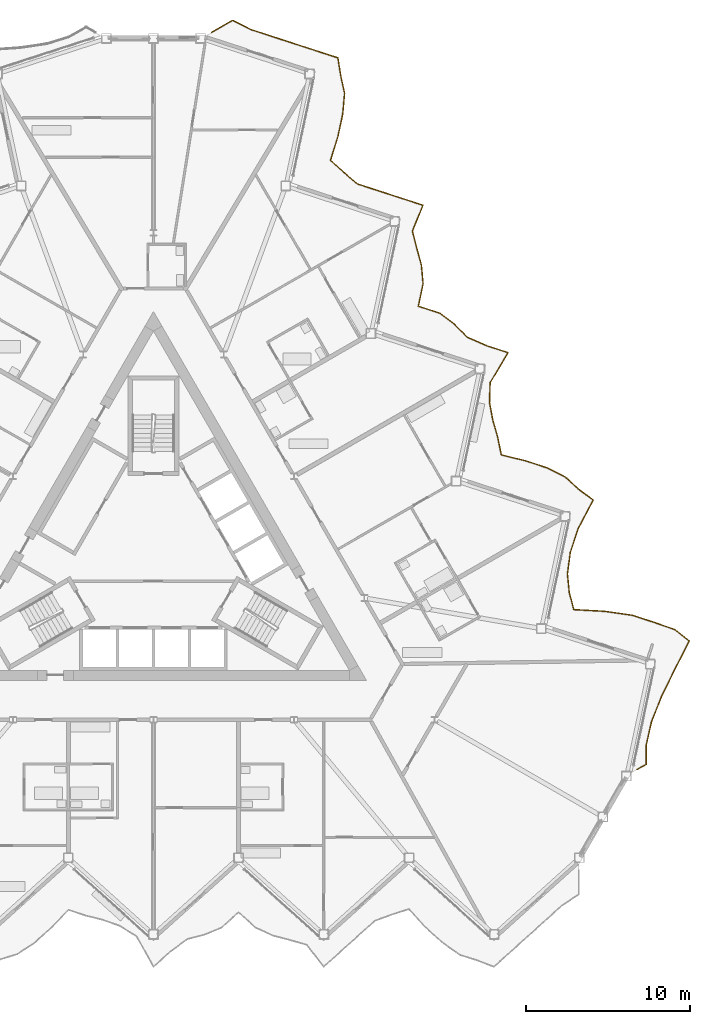
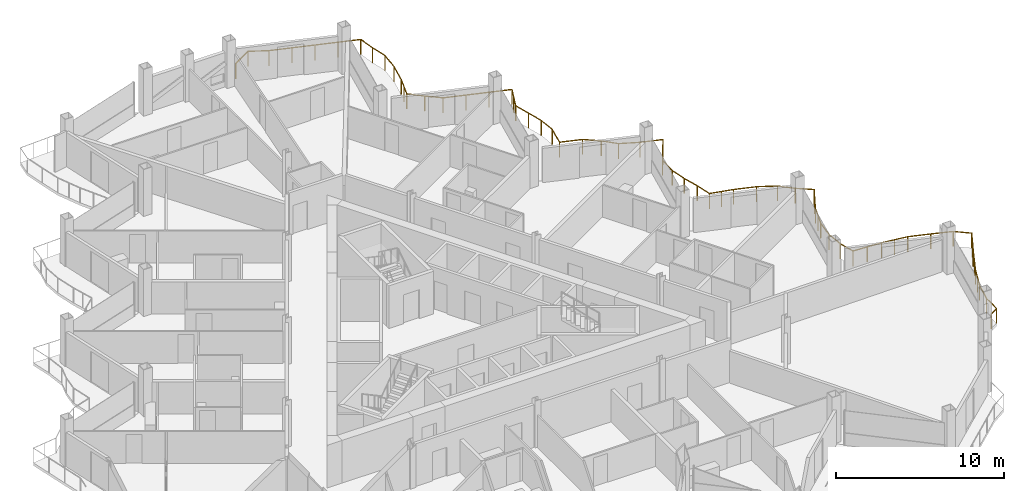
# One storey, part 24 of 26: 1 railing.
"""IFC4 building model written with IfcOpenShell, lengths in metres."""

from ifc_helpers import new_model, si_unit, direction, frame, origin, origin_2d, place, context, subcontext, project, spatial, circle, extrude, material, type_object, element, save


model = new_model("IFC4")

# Units and contexts
model_context = context("Model", 3, precision=1e-05, world=origin(), true_north=direction((0.0, 1.0)))
body_context = subcontext(model_context, "Body", "Model", "MODEL_VIEW")
ifc_project = project(units=[si_unit("LENGTHUNIT", "METRE"), si_unit("AREAUNIT", "SQUARE_METRE"), si_unit("VOLUMEUNIT", "CUBIC_METRE"), si_unit("PLANEANGLEUNIT", "RADIAN"), si_unit("MASSUNIT", "GRAM", prefix="KILO")], contexts=[model_context])

# Site, building, storey
site_placement = place(None, origin())
site = spatial("IfcSite", under=ifc_project, at=site_placement, CompositionType="ELEMENT")
building_placement = place(site_placement, origin())
building = spatial("IfcBuilding", under=site, at=building_placement, Name="Cormorant Prow Tower", CompositionType="ELEMENT")
storey_placement = place(building_placement, frame((0.0, 0.0, 322.199951171875)))
storey = spatial("IfcBuildingStorey", under=building, at=storey_placement, Name="L71", CompositionType="ELEMENT", Elevation=322.199951171875)

# Railing
ifc_material = material(Name="Aluminium 6063-T6", Category="aluminium")
railing_type = type_object("IfcRailingType", Name="Balcony guard 1100", PredefinedType="GUARDRAIL", material=ifc_material)
railing_placement = place(storey_placement, frame((29.526123046875, -12.944580078125, 0.0)))
element("IfcRailing", 1, at=railing_placement, inside=storey, type_object=railing_type, Name="Balcony guard ENE", PredefinedType="GUARDRAIL", context=body_context, shape_type="SweptSolid", body=[
    extrude(circle(Radius=0.02392578125, at=origin_2d()), frame((0.0, 0.0, 1.076171875), z_axis=(0.866204753408, 0.499689228594, 0.0), x_axis=(-0.499689228594, 0.866204753408, 0.0)), (0.0, 0.0, 1.0), 0.63623046875),
    extrude(circle(Radius=0.02392578125, at=origin_2d()), frame((0.551025390625, 0.31787109375, 1.076171875), z_axis=(0.003046908465, 0.999995358164, 0.0), x_axis=(-0.999995358164, 0.003046908465, 0.0)), (0.0, 0.0, 1.0), 1.201904296875),
    extrude(circle(Radius=0.02392578125, at=origin_2d()), frame((0.5546875, 1.519775390625, 1.076171875), z_axis=(0.221129028399, 0.975244560507, 0.0), x_axis=(-0.975244560507, 0.221129028399, 0.0)), (0.0, 0.0, 1.0), 1.41552734375),
    extrude(circle(Radius=0.02392578125, at=origin_2d()), frame((0.86767578125, 2.900146484375, 1.076171875), z_axis=(0.368116803068, 0.929779554141, 0.0), x_axis=(-0.929779554141, 0.368116803068, 0.0)), (0.0, 0.0, 1.0), 1.672607421875),
    extrude(circle(Radius=0.02392578125, at=origin_2d()), frame((1.4833984375, 4.455322265625, 1.076171875), z_axis=(0.441027763274, 0.897493460712, 0.0), x_axis=(-0.897493460712, 0.441027763274, 0.0)), (0.0, 0.0, 1.0), 1.8662109375),
    extrude(circle(Radius=0.02392578125, at=origin_2d()), frame((2.306396484375, 6.130126953125, 1.076171875), z_axis=(0.456267471414, 0.889842679651, 0.0), x_axis=(-0.889842679651, 0.456267471414, 0.0)), (0.0, 0.0, 1.0), 1.9150390625),
    extrude(circle(Radius=0.02392578125, at=origin_2d()), frame((3.18017578125, 7.834228515625, 1.076171875), z_axis=(-0.778575404599, 0.627551065137, 0.0), x_axis=(-0.627551065137, -0.778575404599, 0.0)), (0.0, 0.0, 1.0), 1.11376953125),
    extrude(circle(Radius=0.02392578125, at=origin_2d()), frame((2.31298828125, 8.533203125, 1.076171875), z_axis=(-0.943744416998, 0.330675785907, 0.0), x_axis=(-0.330675785907, -0.943744416998, 0.0)), (0.0, 0.0, 1.0), 1.370361328125),
    extrude(circle(Radius=0.02392578125, at=origin_2d()), frame((1.019775390625, 8.986328125, 1.076171875), z_axis=(-0.951031502071, 0.309093969641, 0.0), x_axis=(-0.309093969641, -0.951031502071, 0.0)), (0.0, 0.0, 1.0), 1.39794921875),
    extrude(circle(Radius=0.02392578125, at=origin_2d()), frame((-0.309814453125, 9.41845703125, 1.076171875), z_axis=(-0.990016090346, 0.140954392825, 0.0), x_axis=(-0.140954392825, -0.990016090346, 0.0)), (0.0, 0.0, 1.0), 1.68359375),
    extrude(circle(Radius=0.02392578125, at=origin_2d()), frame((-1.9765625, 9.65576171875, 1.076171875), z_axis=(-0.998423291898, 0.056133147036, 0.0), x_axis=(-0.056133147036, -0.998423291898, 0.0)), (0.0, 0.0, 1.0), 1.896240234375),
    extrude(circle(Radius=0.02392578125, at=origin_2d()), frame((-3.869873046875, 9.76220703125, 1.076171875), z_axis=(-0.255799063702, 0.966729972127, 0.0), x_axis=(-0.966729972127, -0.255799063702, 0.0)), (0.0, 0.0, 1.0), 1.07666015625),
    extrude(circle(Radius=0.02392578125, at=origin_2d()), frame((-4.145263671875, 10.802978515625, 1.076171875), z_axis=(-0.097808345794, 0.995205269024, 0.0), x_axis=(-0.995205269024, -0.097808345794, 0.0)), (0.0, 0.0, 1.0), 1.140625),
    extrude(circle(Radius=0.02392578125, at=origin_2d()), frame((-4.2568359375, 11.938232421875, 1.076171875), z_axis=(0.130343568202, 0.991468887171, 0.0), x_axis=(-0.991468887171, 0.130343568202, 0.0)), (0.0, 0.0, 1.0), 1.309326171875),
    extrude(circle(Radius=0.02392578125, at=origin_2d()), frame((-4.086181640625, 13.236328125, 1.076171875), z_axis=(0.312891848083, 0.949788761464, 0.0), x_axis=(-0.949788761464, 0.312891848083, 0.0)), (0.0, 0.0, 1.0), 1.559814453125),
    extrude(circle(Radius=0.02392578125, at=origin_2d()), frame((-3.59814453125, 14.7177734375, 1.076171875), z_axis=(0.467491502757, 0.883997564957, 0.0), x_axis=(-0.883997564957, 0.467491502757, 0.0)), (0.0, 0.0, 1.0), 1.95361328125),
    extrude(circle(Radius=0.02392578125, at=origin_2d()), frame((-2.684814453125, 16.44482421875, 1.076171875), z_axis=(-0.80549386199, 0.592604115997, 0.0), x_axis=(-0.592604115997, -0.80549386199, 0.0)), (0.0, 0.0, 1.0), 1.13427734375),
    extrude(circle(Radius=0.02392578125, at=origin_2d()), frame((-3.598388671875, 17.116943359375, 1.076171875), z_axis=(-0.73064395637, 0.682758675537, 0.0), x_axis=(-0.682758675537, -0.73064395637, 0.0)), (0.0, 0.0, 1.0), 1.0859375),
    extrude(circle(Radius=0.02392578125, at=origin_2d()), frame((-4.391845703125, 17.8583984375, 1.076171875), z_axis=(-0.894073755928, 0.447919768441, 0.0), x_axis=(-0.447919768441, -0.894073755928, 0.0)), (0.0, 0.0, 1.0), 1.244384765625),
    extrude(circle(Radius=0.02392578125, at=origin_2d()), frame((-5.50439453125, 18.415771484375, 1.076171875), z_axis=(-0.951031502071, 0.309093969641, 0.0), x_axis=(-0.309093969641, -0.951031502071, 0.0)), (0.0, 0.0, 1.0), 1.39794921875),
    extrude(circle(Radius=0.02392578125, at=origin_2d()), frame((-6.833984375, 18.847900390625, 1.076171875), z_axis=(-0.971641406647, 0.236459249956, 0.0), x_axis=(-0.236459249956, -0.971641406647, 0.0)), (0.0, 0.0, 1.0), 1.50439453125),
    extrude(circle(Radius=0.02392578125, at=origin_2d()), frame((-8.295654296875, 19.20361328125, 1.076171875), z_axis=(-0.197786343322, 0.980245154232, 0.0), x_axis=(-0.980245154232, -0.197786343322, 0.0)), (0.0, 0.0, 1.0), 1.09619140625),
    extrude(circle(Radius=0.02392578125, at=origin_2d()), frame((-8.512451171875, 20.278076171875, 1.076171875), z_axis=(-0.27661809611, 0.960979931582, 0.0), x_axis=(-0.960979931582, -0.27661809611, 0.0)), (0.0, 0.0, 1.0), 1.070556640625),
    extrude(circle(Radius=0.02392578125, at=origin_2d()), frame((-8.80859375, 21.306884765625, 1.076171875), z_axis=(-0.18420823114, 0.982887240522, 0.0), x_axis=(-0.982887240522, -0.18420823114, 0.0)), (0.0, 0.0, 1.0), 1.101318359375),
    extrude(circle(Radius=0.02392578125, at=origin_2d()), frame((-9.011474609375, 22.389404296875, 1.076171875), z_axis=(0.029005201679, 0.999579260627, 0.0), x_axis=(-0.999579260627, 0.029005201679, 0.0)), (0.0, 0.0, 1.0), 1.220458984375),
    extrude(circle(Radius=0.02392578125, at=origin_2d()), frame((-8.97607421875, 23.609375, 1.076171875), z_axis=(0.513419619351, 0.85813768969, 0.0), x_axis=(-0.85813768969, 0.513419619351, 0.0)), (0.0, 0.0, 1.0), 2.135986328125),
    extrude(circle(Radius=0.02392578125, at=origin_2d()), frame((-7.87939453125, 25.4423828125, 1.076171875), z_axis=(-0.95108282544, 0.308936011422, 0.0), x_axis=(-0.308936011422, -0.95108282544, 0.0)), (0.0, 0.0, 1.0), 1.39794921875),
    extrude(circle(Radius=0.02392578125, at=origin_2d()), frame((-9.208984375, 25.874267578125, 1.076171875), z_axis=(-0.914732263539, 0.404060497996, 0.0), x_axis=(-0.404060497996, -0.914732263539, 0.0)), (0.0, 0.0, 1.0), 1.286865234375),
    extrude(circle(Radius=0.02392578125, at=origin_2d()), frame((-10.38623046875, 26.394287109375, 1.076171875), z_axis=(-0.700592186482, 0.713561902178, 0.0), x_axis=(-0.713561902178, -0.700592186482, 0.0)), (0.0, 0.0, 1.0), 1.072998046875),
    extrude(circle(Radius=0.02392578125, at=origin_2d()), frame((-11.137939453125, 27.159912109375, 1.076171875), z_axis=(-0.792510941988, 0.609857693917, 0.0), x_axis=(-0.609857693917, -0.792510941988, 0.0)), (0.0, 0.0, 1.0), 1.1240234375),
    extrude(circle(Radius=0.02392578125, at=origin_2d()), frame((-12.02880859375, 27.845458984375, 1.076171875), z_axis=(-0.95108282544, 0.308936011422, 0.0), x_axis=(-0.308936011422, -0.95108282544, 0.0)), (0.0, 0.0, 1.0), 1.39794921875),
    extrude(circle(Radius=0.02392578125, at=origin_2d()), frame((-13.3583984375, 28.27734375, 1.076171875), z_axis=(0.207990337228, 0.978130880619, 0.0), x_axis=(-0.978130880619, 0.207990337228, 0.0)), (0.0, 0.0, 1.0), 1.39794921875),
    extrude(circle(Radius=0.02392578125, at=origin_2d()), frame((-13.067626953125, 29.644775390625, 1.076171875), z_axis=(-0.090439585375, 0.995901943666, 0.0), x_axis=(-0.995901943666, -0.090439585375, 0.0)), (0.0, 0.0, 1.0), 1.14453125),
    extrude(circle(Radius=0.02392578125, at=origin_2d()), frame((-13.171142578125, 30.78466796875, 1.076171875), z_axis=(-0.262367704354, 0.964967972376, 0.0), x_axis=(-0.964967972376, -0.262367704354, 0.0)), (0.0, 0.0, 1.0), 1.07470703125),
    extrude(circle(Radius=0.02392578125, at=origin_2d()), frame((-13.453125, 31.82177734375, 1.076171875), z_axis=(-0.245354615478, 0.969433397745, 0.0), x_axis=(-0.969433397745, -0.245354615478, 0.0)), (0.0, 0.0, 1.0), 1.07958984375),
    extrude(circle(Radius=0.02392578125, at=origin_2d()), frame((-13.718017578125, 32.868408203125, 1.076171875), z_axis=(0.379136640901, 0.925340698082, 0.0), x_axis=(-0.925340698082, 0.379136640901, 0.0)), (0.0, 0.0, 1.0), 1.697998046875),
    extrude(circle(Radius=0.02392578125, at=origin_2d()), frame((-13.07421875, 34.439697265625, 1.076171875), z_axis=(-0.951031502071, 0.309093969641, 0.0), x_axis=(-0.309093969641, -0.951031502071, 0.0)), (0.0, 0.0, 1.0), 1.39794921875),
    extrude(circle(Radius=0.02392578125, at=origin_2d()), frame((-14.40380859375, 34.871826171875, 1.076171875), z_axis=(-0.951031502071, 0.309093969641, 0.0), x_axis=(-0.309093969641, -0.951031502071, 0.0)), (0.0, 0.0, 1.0), 1.39794921875),
    extrude(circle(Radius=0.02392578125, at=origin_2d()), frame((-15.7333984375, 35.303955078125, 1.076171875), z_axis=(-0.95108282544, 0.308936011422, 0.0), x_axis=(-0.308936011422, -0.95108282544, 0.0)), (0.0, 0.0, 1.0), 1.39794921875),
    extrude(circle(Radius=0.02392578125, at=origin_2d()), frame((-17.06298828125, 35.73583984375, 1.076171875), z_axis=(-0.767297974919, 0.64129074349, 0.0), x_axis=(-0.64129074349, -0.767297974919, 0.0)), (0.0, 0.0, 1.0), 1.106201171875),
    extrude(circle(Radius=0.02392578125, at=origin_2d()), frame((-17.911865234375, 36.4453125, 1.076171875), z_axis=(-0.741244268081, 0.671235379756, 0.0), x_axis=(-0.671235379756, -0.741244268081, 0.0)), (0.0, 0.0, 1.0), 1.091552734375),
    extrude(circle(Radius=0.02392578125, at=origin_2d()), frame((-18.720947265625, 37.177978515625, 1.076171875), z_axis=(0.29894528299, 0.954270254057, 0.0), x_axis=(-0.954270254057, 0.29894528299, 0.0)), (0.0, 0.0, 1.0), 1.534423828125),
    extrude(circle(Radius=0.02392578125, at=origin_2d()), frame((-18.26220703125, 38.642333984375, 1.076171875), z_axis=(0.207823247792, 0.9781663957, 0.0), x_axis=(-0.9781663957, 0.207823247792, 0.0)), (0.0, 0.0, 1.0), 1.39794921875),
    extrude(circle(Radius=0.02392578125, at=origin_2d()), frame((-17.9716796875, 40.009765625, 1.076171875), z_axis=(0.087742187923, 0.996143216841, 0.0), x_axis=(-0.996143216841, 0.087742187923, 0.0)), (0.0, 0.0, 1.0), 1.268798828125),
    extrude(circle(Radius=0.02392578125, at=origin_2d()), frame((-17.8603515625, 41.273681640625, 1.076171875), z_axis=(-0.214558424131, 0.976711156194, 0.0), x_axis=(-0.976711156194, -0.214558424131, 0.0)), (0.0, 0.0, 1.0), 1.090087890625),
    extrude(circle(Radius=0.02392578125, at=origin_2d()), frame((-18.09423828125, 42.33837890625, 1.076171875), z_axis=(-0.156886448113, 0.98761664749, 0.0), x_axis=(-0.98761664749, -0.156886448113, 0.0)), (0.0, 0.0, 1.0), 1.112548828125),
    extrude(circle(Radius=0.02392578125, at=origin_2d()), frame((-18.268798828125, 43.437255859375, 1.076171875), z_axis=(-0.951031502071, 0.309093969641, 0.0), x_axis=(-0.309093969641, -0.951031502071, 0.0)), (0.0, 0.0, 1.0), 1.39794921875),
    extrude(circle(Radius=0.02392578125, at=origin_2d()), frame((-19.598388671875, 43.869384765625, 1.076171875), z_axis=(-0.95108282544, 0.308936011422, 0.0), x_axis=(-0.308936011422, -0.95108282544, 0.0)), (0.0, 0.0, 1.0), 1.39794921875),
    extrude(circle(Radius=0.02392578125, at=origin_2d()), frame((-20.927978515625, 44.30126953125, 1.076171875), z_axis=(-0.951031502071, 0.309093969641, 0.0), x_axis=(-0.309093969641, -0.951031502071, 0.0)), (0.0, 0.0, 1.0), 1.39794921875),
    extrude(circle(Radius=0.02392578125, at=origin_2d()), frame((-22.257568359375, 44.7333984375, 1.076171875), z_axis=(-0.95108282544, 0.308936011422, 0.0), x_axis=(-0.308936011422, -0.95108282544, 0.0)), (0.0, 0.0, 1.0), 1.39794921875),
    extrude(circle(Radius=0.02392578125, at=origin_2d()), frame((-23.587158203125, 45.165283203125, 1.076171875), z_axis=(-0.893680068618, 0.448704730257, 0.0), x_axis=(-0.448704730257, -0.893680068618, 0.0)), (0.0, 0.0, 1.0), 1.243896484375),
    extrude(circle(Radius=0.02392578125, at=origin_2d()), frame((-24.69873046875, 45.723388671875, 1.076171875), z_axis=(-0.865978411185, -0.500081384739, 0.0), x_axis=(0.500081384739, -0.865978411185, 0.0)), (0.0, 0.0, 1.0), 1.471923828125),
    extrude(circle(Radius=0.02099609375, at=origin_2d()), origin(), (0.0, 0.0, 1.0), 1.052001953125),
    extrude(circle(Radius=0.02099609375, at=origin_2d()), frame((0.551025390625, 0.31787109375, 0.0)), (0.0, 0.0, 1.0), 1.052001953125),
    extrude(circle(Radius=0.02099609375, at=origin_2d()), frame((0.5546875, 1.519775390625, 0.0)), (0.0, 0.0, 1.0), 1.052001953125),
    extrude(circle(Radius=0.02099609375, at=origin_2d()), frame((0.86767578125, 2.900146484375, 0.0)), (0.0, 0.0, 1.0), 1.052001953125),
    extrude(circle(Radius=0.02099609375, at=origin_2d()), frame((1.175537109375, 3.677734375, 0.0)), (0.0, 0.0, 1.0), 1.052001953125),
    extrude(circle(Radius=0.02099609375, at=origin_2d()), frame((1.4833984375, 4.455322265625, 0.0)), (0.0, 0.0, 1.0), 1.052001953125),
    extrude(circle(Radius=0.02099609375, at=origin_2d()), frame((1.89501953125, 5.292724609375, 0.0)), (0.0, 0.0, 1.0), 1.052001953125),
    extrude(circle(Radius=0.02099609375, at=origin_2d()), frame((2.306396484375, 6.130126953125, 0.0)), (0.0, 0.0, 1.0), 1.052001953125),
    extrude(circle(Radius=0.02099609375, at=origin_2d()), frame((2.7431640625, 6.982177734375, 0.0)), (0.0, 0.0, 1.0), 1.052001953125),
    extrude(circle(Radius=0.02099609375, at=origin_2d()), frame((3.18017578125, 7.834228515625, 0.0)), (0.0, 0.0, 1.0), 1.052001953125),
    extrude(circle(Radius=0.02099609375, at=origin_2d()), frame((2.31298828125, 8.533203125, 0.0)), (0.0, 0.0, 1.0), 1.052001953125),
    extrude(circle(Radius=0.02099609375, at=origin_2d()), frame((1.019775390625, 8.986328125, 0.0)), (0.0, 0.0, 1.0), 1.052001953125),
    extrude(circle(Radius=0.02099609375, at=origin_2d()), frame((-0.309814453125, 9.41845703125, 0.0)), (0.0, 0.0, 1.0), 1.052001953125),
    extrude(circle(Radius=0.02099609375, at=origin_2d()), frame((-1.14306640625, 9.537109375, 0.0)), (0.0, 0.0, 1.0), 1.052001953125),
    extrude(circle(Radius=0.02099609375, at=origin_2d()), frame((-1.9765625, 9.65576171875, 0.0)), (0.0, 0.0, 1.0), 1.052001953125),
    extrude(circle(Radius=0.02099609375, at=origin_2d()), frame((-2.92333984375, 9.708984375, 0.0)), (0.0, 0.0, 1.0), 1.052001953125),
    extrude(circle(Radius=0.02099609375, at=origin_2d()), frame((-3.869873046875, 9.76220703125, 0.0)), (0.0, 0.0, 1.0), 1.052001953125),
    extrude(circle(Radius=0.02099609375, at=origin_2d()), frame((-4.145263671875, 10.802978515625, 0.0)), (0.0, 0.0, 1.0), 1.052001953125),
    extrude(circle(Radius=0.02099609375, at=origin_2d()), frame((-4.2568359375, 11.938232421875, 0.0)), (0.0, 0.0, 1.0), 1.052001953125),
    extrude(circle(Radius=0.02099609375, at=origin_2d()), frame((-4.086181640625, 13.236328125, 0.0)), (0.0, 0.0, 1.0), 1.052001953125),
    extrude(circle(Radius=0.02099609375, at=origin_2d()), frame((-3.84228515625, 13.97705078125, 0.0)), (0.0, 0.0, 1.0), 1.052001953125),
    extrude(circle(Radius=0.02099609375, at=origin_2d()), frame((-3.59814453125, 14.7177734375, 0.0)), (0.0, 0.0, 1.0), 1.052001953125),
    extrude(circle(Radius=0.02099609375, at=origin_2d()), frame((-3.1416015625, 15.581298828125, 0.0)), (0.0, 0.0, 1.0), 1.052001953125),
    extrude(circle(Radius=0.02099609375, at=origin_2d()), frame((-2.684814453125, 16.44482421875, 0.0)), (0.0, 0.0, 1.0), 1.052001953125),
    extrude(circle(Radius=0.02099609375, at=origin_2d()), frame((-3.598388671875, 17.116943359375, 0.0)), (0.0, 0.0, 1.0), 1.052001953125),
    extrude(circle(Radius=0.02099609375, at=origin_2d()), frame((-4.391845703125, 17.8583984375, 0.0)), (0.0, 0.0, 1.0), 1.052001953125),
    extrude(circle(Radius=0.02099609375, at=origin_2d()), frame((-5.50439453125, 18.415771484375, 0.0)), (0.0, 0.0, 1.0), 1.052001953125),
    extrude(circle(Radius=0.02099609375, at=origin_2d()), frame((-6.833984375, 18.847900390625, 0.0)), (0.0, 0.0, 1.0), 1.052001953125),
    extrude(circle(Radius=0.02099609375, at=origin_2d()), frame((-7.56494140625, 19.02587890625, 0.0)), (0.0, 0.0, 1.0), 1.052001953125),
    extrude(circle(Radius=0.02099609375, at=origin_2d()), frame((-8.295654296875, 19.20361328125, 0.0)), (0.0, 0.0, 1.0), 1.052001953125),
    extrude(circle(Radius=0.02099609375, at=origin_2d()), frame((-8.512451171875, 20.278076171875, 0.0)), (0.0, 0.0, 1.0), 1.052001953125),
    extrude(circle(Radius=0.02099609375, at=origin_2d()), frame((-8.80859375, 21.306884765625, 0.0)), (0.0, 0.0, 1.0), 1.052001953125),
    extrude(circle(Radius=0.02099609375, at=origin_2d()), frame((-9.011474609375, 22.389404296875, 0.0)), (0.0, 0.0, 1.0), 1.052001953125),
    extrude(circle(Radius=0.02099609375, at=origin_2d()), frame((-8.97607421875, 23.609375, 0.0)), (0.0, 0.0, 1.0), 1.052001953125),
    extrude(circle(Radius=0.02099609375, at=origin_2d()), frame((-8.427734375, 24.52587890625, 0.0)), (0.0, 0.0, 1.0), 1.052001953125),
    extrude(circle(Radius=0.02099609375, at=origin_2d()), frame((-7.87939453125, 25.4423828125, 0.0)), (0.0, 0.0, 1.0), 1.052001953125),
    extrude(circle(Radius=0.02099609375, at=origin_2d()), frame((-9.208984375, 25.874267578125, 0.0)), (0.0, 0.0, 1.0), 1.052001953125),
    extrude(circle(Radius=0.02099609375, at=origin_2d()), frame((-10.38623046875, 26.394287109375, 0.0)), (0.0, 0.0, 1.0), 1.052001953125),
    extrude(circle(Radius=0.02099609375, at=origin_2d()), frame((-11.137939453125, 27.159912109375, 0.0)), (0.0, 0.0, 1.0), 1.052001953125),
    extrude(circle(Radius=0.02099609375, at=origin_2d()), frame((-12.02880859375, 27.845458984375, 0.0)), (0.0, 0.0, 1.0), 1.052001953125),
    extrude(circle(Radius=0.02099609375, at=origin_2d()), frame((-13.3583984375, 28.27734375, 0.0)), (0.0, 0.0, 1.0), 1.052001953125),
    extrude(circle(Radius=0.02099609375, at=origin_2d()), frame((-13.067626953125, 29.644775390625, 0.0)), (0.0, 0.0, 1.0), 1.052001953125),
    extrude(circle(Radius=0.02099609375, at=origin_2d()), frame((-13.171142578125, 30.78466796875, 0.0)), (0.0, 0.0, 1.0), 1.052001953125),
    extrude(circle(Radius=0.02099609375, at=origin_2d()), frame((-13.453125, 31.82177734375, 0.0)), (0.0, 0.0, 1.0), 1.052001953125),
    extrude(circle(Radius=0.02099609375, at=origin_2d()), frame((-13.718017578125, 32.868408203125, 0.0)), (0.0, 0.0, 1.0), 1.052001953125),
    extrude(circle(Radius=0.02099609375, at=origin_2d()), frame((-13.39599609375, 33.654052734375, 0.0)), (0.0, 0.0, 1.0), 1.052001953125),
    extrude(circle(Radius=0.02099609375, at=origin_2d()), frame((-13.07421875, 34.439697265625, 0.0)), (0.0, 0.0, 1.0), 1.052001953125),
    extrude(circle(Radius=0.02099609375, at=origin_2d()), frame((-14.40380859375, 34.871826171875, 0.0)), (0.0, 0.0, 1.0), 1.052001953125),
    extrude(circle(Radius=0.02099609375, at=origin_2d()), frame((-15.7333984375, 35.303955078125, 0.0)), (0.0, 0.0, 1.0), 1.052001953125),
    extrude(circle(Radius=0.02099609375, at=origin_2d()), frame((-17.06298828125, 35.73583984375, 0.0)), (0.0, 0.0, 1.0), 1.052001953125),
    extrude(circle(Radius=0.02099609375, at=origin_2d()), frame((-17.911865234375, 36.4453125, 0.0)), (0.0, 0.0, 1.0), 1.052001953125),
    extrude(circle(Radius=0.02099609375, at=origin_2d()), frame((-18.720947265625, 37.177978515625, 0.0)), (0.0, 0.0, 1.0), 1.052001953125),
    extrude(circle(Radius=0.02099609375, at=origin_2d()), frame((-18.49169921875, 37.91015625, 0.0)), (0.0, 0.0, 1.0), 1.052001953125),
    extrude(circle(Radius=0.02099609375, at=origin_2d()), frame((-18.26220703125, 38.642333984375, 0.0)), (0.0, 0.0, 1.0), 1.052001953125),
    extrude(circle(Radius=0.02099609375, at=origin_2d()), frame((-17.9716796875, 40.009765625, 0.0)), (0.0, 0.0, 1.0), 1.052001953125),
    extrude(circle(Radius=0.02099609375, at=origin_2d()), frame((-17.8603515625, 41.273681640625, 0.0)), (0.0, 0.0, 1.0), 1.052001953125),
    extrude(circle(Radius=0.02099609375, at=origin_2d()), frame((-18.09423828125, 42.33837890625, 0.0)), (0.0, 0.0, 1.0), 1.052001953125),
    extrude(circle(Radius=0.02099609375, at=origin_2d()), frame((-18.268798828125, 43.437255859375, 0.0)), (0.0, 0.0, 1.0), 1.052001953125),
    extrude(circle(Radius=0.02099609375, at=origin_2d()), frame((-19.598388671875, 43.869384765625, 0.0)), (0.0, 0.0, 1.0), 1.052001953125),
    extrude(circle(Radius=0.02099609375, at=origin_2d()), frame((-20.927978515625, 44.30126953125, 0.0)), (0.0, 0.0, 1.0), 1.052001953125),
    extrude(circle(Radius=0.02099609375, at=origin_2d()), frame((-22.257568359375, 44.7333984375, 0.0)), (0.0, 0.0, 1.0), 1.052001953125),
    extrude(circle(Radius=0.02099609375, at=origin_2d()), frame((-23.587158203125, 45.165283203125, 0.0)), (0.0, 0.0, 1.0), 1.052001953125),
    extrude(circle(Radius=0.02099609375, at=origin_2d()), frame((-24.69873046875, 45.723388671875, 0.0)), (0.0, 0.0, 1.0), 1.052001953125),
    extrude(circle(Radius=0.02099609375, at=origin_2d()), frame((-25.973388671875, 44.9873046875, 0.0)), (0.0, 0.0, 1.0), 1.052001953125),
])

save(model, "model.ifc")
